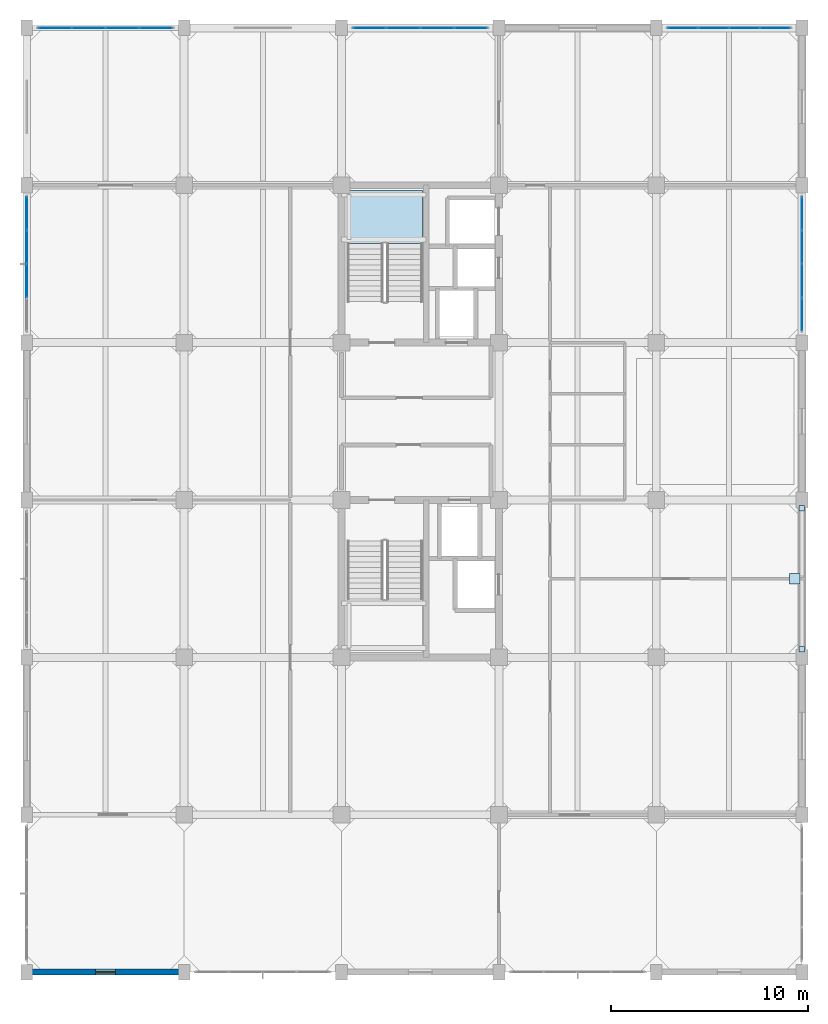
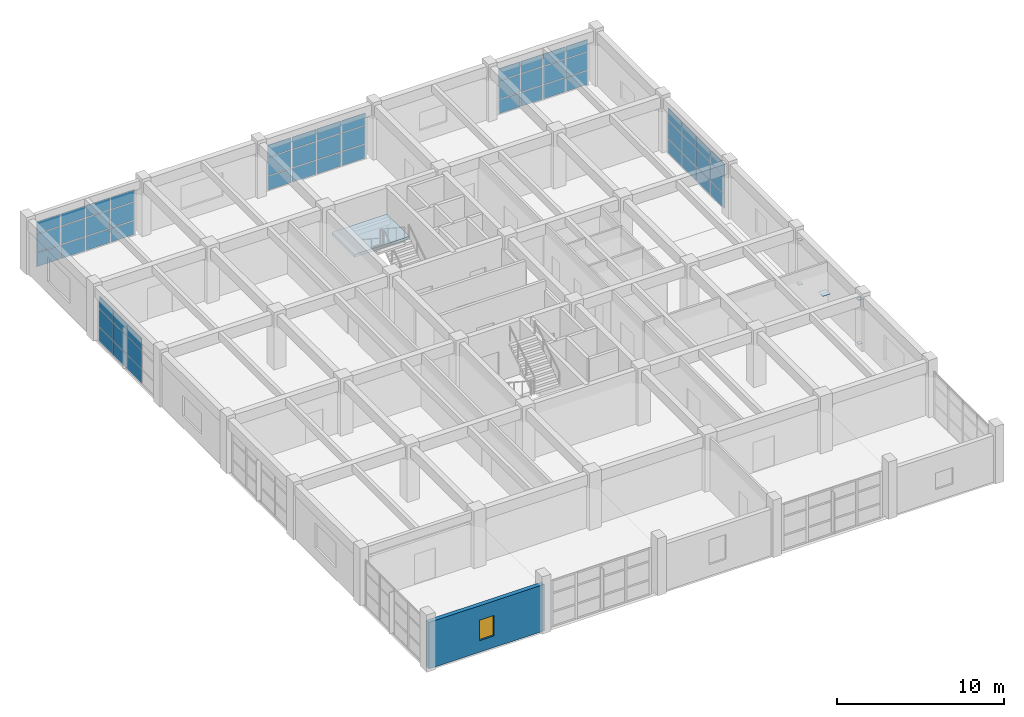
# One storey, part 20 of 27: 62 plates, 1 slab, 1 wall, 1 window, 1 opening, 6 elements without a shape of their own.
"""IFC4 building model written with IfcOpenShell, lengths in metres."""

from ifc_helpers import new_model, si_unit, direction, frame, frame_2d, origin, origin_2d, place, context, subcontext, project, spatial, polyline, rectangle, outline, extrude, material, layer, layer_set, type_object, element, fill, aggregate, save


model = new_model("IFC4")

# Units and contexts
model_context = context("Model", 3, precision=1e-05, world=origin(), true_north=direction((0.0, 1.0)))
body_context = subcontext(model_context, "Body", "Model", "MODEL_VIEW")
ifc_project = project(units=[si_unit("LENGTHUNIT", "METRE"), si_unit("AREAUNIT", "SQUARE_METRE"), si_unit("VOLUMEUNIT", "CUBIC_METRE"), si_unit("PLANEANGLEUNIT", "RADIAN"), si_unit("MASSUNIT", "GRAM", prefix="KILO")], contexts=[model_context])

# Site, building, storey
site_placement = place(None, origin())
site = spatial("IfcSite", under=ifc_project, at=site_placement, CompositionType="ELEMENT")
building_placement = place(site_placement, origin())
building = spatial("IfcBuilding", under=site, at=building_placement, Name="Canggui Botanical Conservatory", CompositionType="ELEMENT")
storey_placement = place(building_placement, frame((0.0, 0.0, 23.39990234375)))
storey = spatial("IfcBuildingStorey", under=building, at=storey_placement, Name="L06", CompositionType="ELEMENT", Elevation=23.39990234375)

# Curtain wall, plates
ifc_material_1 = material(Name="Thermally Broken Aluminium", Category="aluminium")
ifc_layer_1 = layer(ifc_material_1, 0.14990234375, Name="Thermally Broken Aluminium", Category="aluminium")
ifc_layer_set_1 = layer_set([ifc_layer_1], Name="Thermally Broken Aluminium")
curtain_wall_type = type_object("IfcCurtainWallType", Name="CW-UNIT-C", PredefinedType="USERDEFINED", material=ifc_layer_set_1)
curtain_wall_1_placement = place(storey_placement, origin())
curtain_wall_1 = element("IfcCurtainWall", 1, at=curtain_wall_1_placement, inside=storey, type_object=curtain_wall_type, Name="Facade Curtain Wall CW-TWR-L06-10", ObjectType="UNITISED CURTAIN WALL", PredefinedType="USERDEFINED")
ifc_material_2 = material(Name="Low-E Insulated Glass", Category="glass")
ifc_layer_2 = layer(ifc_material_2, 0.033935546875, Name="Low-E Insulated Glass", Category="glass")
ifc_layer_set_2 = layer_set([ifc_layer_2], Name="Low-E Insulated Glass")
plate_type_1 = type_object("IfcPlateType", Name="CWP-03", PredefinedType="CURTAIN_PANEL", material=ifc_layer_set_2)
plate_1_placement = place(storey_placement, frame((138.0, 61.139892578125, 0.05517578125), z_axis=(0.0, 0.0, 1.0), x_axis=(0.0, 1.0, 0.0)))
plate_1 = element("IfcPlate", 2, at=plate_1_placement, type_object=plate_type_1, Name="CW-03 panel 2.1", PredefinedType="CURTAIN_PANEL", context=body_context, shape_type="SweptSolid", body=[
    extrude(rectangle(XDim=1.659912109375, YDim=0.033935546875, at=origin_2d()), origin(), (0.0, 0.0, 1.0), 1.005615234375),
])
plate_2_placement = place(storey_placement, frame((138.0, 61.139892578125, 1.11572265625), z_axis=(0.0, 0.0, 1.0), x_axis=(0.0, 1.0, 0.0)))
plate_2 = element("IfcPlate", 3, at=plate_2_placement, type_object=plate_type_1, Name="CW-03 panel 2.2", PredefinedType="CURTAIN_PANEL", context=body_context, shape_type="SweptSolid", body=[
    extrude(rectangle(XDim=1.659912109375, YDim=0.033935546875, at=origin_2d()), origin(), (0.0, 0.0, 1.0), 1.304931640625),
])
plate_3_placement = place(storey_placement, frame((138.0, 61.139892578125, 2.4755859375), z_axis=(0.0, 0.0, 1.0), x_axis=(0.0, 1.0, 0.0)))
plate_3 = element("IfcPlate", 4, at=plate_3_placement, type_object=plate_type_1, Name="CW-03 panel 2.3", PredefinedType="CURTAIN_PANEL", context=body_context, shape_type="SweptSolid", body=[
    extrude(rectangle(XDim=1.659912109375, YDim=0.033935546875, at=origin_2d()), origin(), (0.0, 0.0, 1.0), 0.869384765625),
])
plate_4_placement = place(storey_placement, frame((138.0, 62.860107421875, 0.05517578125), z_axis=(0.0, 0.0, 1.0), x_axis=(0.0, 1.0, 0.0)))
plate_4 = element("IfcPlate", 5, at=plate_4_placement, type_object=plate_type_1, Name="CW-03 panel 3.1", PredefinedType="CURTAIN_PANEL", context=body_context, shape_type="SweptSolid", body=[
    extrude(rectangle(XDim=1.659912109375, YDim=0.033935546875, at=origin_2d()), origin(), (0.0, 0.0, 1.0), 1.005615234375),
])
plate_5_placement = place(storey_placement, frame((138.0, 62.860107421875, 1.11572265625), z_axis=(0.0, 0.0, 1.0), x_axis=(0.0, 1.0, 0.0)))
plate_5 = element("IfcPlate", 6, at=plate_5_placement, type_object=plate_type_1, Name="CW-03 panel 3.2", PredefinedType="CURTAIN_PANEL", context=body_context, shape_type="SweptSolid", body=[
    extrude(rectangle(XDim=1.659912109375, YDim=0.033935546875, at=origin_2d()), origin(), (0.0, 0.0, 1.0), 1.304931640625),
])
plate_6_placement = place(storey_placement, frame((138.0, 62.860107421875, 2.4755859375), z_axis=(0.0, 0.0, 1.0), x_axis=(0.0, 1.0, 0.0)))
plate_6 = element("IfcPlate", 7, at=plate_6_placement, type_object=plate_type_1, Name="CW-03 panel 3.3", PredefinedType="CURTAIN_PANEL", context=body_context, shape_type="SweptSolid", body=[
    extrude(rectangle(XDim=1.659912109375, YDim=0.033935546875, at=origin_2d()), origin(), (0.0, 0.0, 1.0), 0.869384765625),
])
plate_7_placement = place(storey_placement, frame((138.0, 64.56494140625, 0.05517578125), z_axis=(0.0, 0.0, 1.0), x_axis=(0.0, 1.0, 0.0)))
plate_7 = element("IfcPlate", 8, at=plate_7_placement, type_object=plate_type_1, Name="CW-03 panel 4.1", PredefinedType="CURTAIN_PANEL", context=body_context, shape_type="SweptSolid", body=[
    extrude(rectangle(XDim=1.6298828125, YDim=0.033935546875, at=origin_2d()), origin(), (0.0, 0.0, 1.0), 1.005615234375),
])
plate_8_placement = place(storey_placement, frame((138.0, 64.56494140625, 1.11572265625), z_axis=(0.0, 0.0, 1.0), x_axis=(0.0, 1.0, 0.0)))
plate_8 = element("IfcPlate", 9, at=plate_8_placement, type_object=plate_type_1, Name="CW-03 panel 4.2", PredefinedType="CURTAIN_PANEL", context=body_context, shape_type="SweptSolid", body=[
    extrude(rectangle(XDim=1.6298828125, YDim=0.033935546875, at=origin_2d()), origin(), (0.0, 0.0, 1.0), 1.304931640625),
])
plate_9_placement = place(storey_placement, frame((138.0, 64.56494140625, 2.4755859375), z_axis=(0.0, 0.0, 1.0), x_axis=(0.0, 1.0, 0.0)))
plate_9 = element("IfcPlate", 10, at=plate_9_placement, type_object=plate_type_1, Name="CW-03 panel 4.3", PredefinedType="CURTAIN_PANEL", context=body_context, shape_type="SweptSolid", body=[
    extrude(rectangle(XDim=1.6298828125, YDim=0.033935546875, at=origin_2d()), origin(), (0.0, 0.0, 1.0), 0.869384765625),
])
aggregate(curtain_wall_1, [plate_1, plate_2, plate_3, plate_4, plate_5, plate_6, plate_7, plate_8, plate_9])

curtain_wall_2_placement = place(storey_placement, origin())
curtain_wall_2 = element("IfcCurtainWall", 11, at=curtain_wall_2_placement, inside=storey, type_object=curtain_wall_type, Name="Facade Curtain Wall CW-TWR-L06-12", ObjectType="UNITISED CURTAIN WALL", PredefinedType="USERDEFINED")
plate_10_placement = place(storey_placement, frame((139.43505859375, 74.0, 0.05517578125), z_axis=(0.0, 0.0, 1.0), x_axis=(1.0, 0.0, 0.0)))
plate_10 = element("IfcPlate", 12, at=plate_10_placement, type_object=plate_type_1, Name="CW-03 panel 1.1", PredefinedType="CURTAIN_PANEL", context=body_context, shape_type="SweptSolid", body=[
    extrude(rectangle(XDim=1.6298828125, YDim=0.033935546875, at=origin_2d()), origin(), (0.0, 0.0, 1.0), 1.005615234375),
])
plate_11_placement = place(storey_placement, frame((139.43505859375, 74.0, 1.11572265625), z_axis=(0.0, 0.0, 1.0), x_axis=(1.0, 0.0, 0.0)))
plate_11 = element("IfcPlate", 13, at=plate_11_placement, type_object=plate_type_1, Name="CW-03 panel 1.2", PredefinedType="CURTAIN_PANEL", context=body_context, shape_type="SweptSolid", body=[
    extrude(rectangle(XDim=1.6298828125, YDim=0.033935546875, at=origin_2d()), origin(), (0.0, 0.0, 1.0), 1.304931640625),
])
plate_12_placement = place(storey_placement, frame((139.43505859375, 74.0, 2.4755859375), z_axis=(0.0, 0.0, 1.0), x_axis=(1.0, 0.0, 0.0)))
plate_12 = element("IfcPlate", 14, at=plate_12_placement, type_object=plate_type_1, Name="CW-03 panel 1.3", PredefinedType="CURTAIN_PANEL", context=body_context, shape_type="SweptSolid", body=[
    extrude(rectangle(XDim=1.6298828125, YDim=0.033935546875, at=origin_2d()), origin(), (0.0, 0.0, 1.0), 0.869384765625),
])
plate_13_placement = place(storey_placement, frame((141.139892578125, 74.0, 0.05517578125), z_axis=(0.0, 0.0, 1.0), x_axis=(1.0, 0.0, 0.0)))
plate_13 = element("IfcPlate", 15, at=plate_13_placement, type_object=plate_type_1, Name="CW-03 panel 2.1", PredefinedType="CURTAIN_PANEL", context=body_context, shape_type="SweptSolid", body=[
    extrude(rectangle(XDim=1.659912109375, YDim=0.033935546875, at=origin_2d()), origin(), (0.0, 0.0, 1.0), 1.005615234375),
])
plate_14_placement = place(storey_placement, frame((141.139892578125, 74.0, 1.11572265625), z_axis=(0.0, 0.0, 1.0), x_axis=(1.0, 0.0, 0.0)))
plate_14 = element("IfcPlate", 16, at=plate_14_placement, type_object=plate_type_1, Name="CW-03 panel 2.2", PredefinedType="CURTAIN_PANEL", context=body_context, shape_type="SweptSolid", body=[
    extrude(rectangle(XDim=1.659912109375, YDim=0.033935546875, at=origin_2d()), origin(), (0.0, 0.0, 1.0), 1.304931640625),
])
plate_15_placement = place(storey_placement, frame((141.139892578125, 74.0, 2.4755859375), z_axis=(0.0, 0.0, 1.0), x_axis=(1.0, 0.0, 0.0)))
plate_15 = element("IfcPlate", 17, at=plate_15_placement, type_object=plate_type_1, Name="CW-03 panel 2.3", PredefinedType="CURTAIN_PANEL", context=body_context, shape_type="SweptSolid", body=[
    extrude(rectangle(XDim=1.659912109375, YDim=0.033935546875, at=origin_2d()), origin(), (0.0, 0.0, 1.0), 0.869384765625),
])
plate_16_placement = place(storey_placement, frame((142.860107421875, 74.0, 0.05517578125), z_axis=(0.0, 0.0, 1.0), x_axis=(1.0, 0.0, 0.0)))
plate_16 = element("IfcPlate", 18, at=plate_16_placement, type_object=plate_type_1, Name="CW-03 panel 3.1", PredefinedType="CURTAIN_PANEL", context=body_context, shape_type="SweptSolid", body=[
    extrude(rectangle(XDim=1.659912109375, YDim=0.033935546875, at=origin_2d()), origin(), (0.0, 0.0, 1.0), 1.005615234375),
])
plate_17_placement = place(storey_placement, frame((142.860107421875, 74.0, 1.11572265625), z_axis=(0.0, 0.0, 1.0), x_axis=(1.0, 0.0, 0.0)))
plate_17 = element("IfcPlate", 19, at=plate_17_placement, type_object=plate_type_1, Name="CW-03 panel 3.2", PredefinedType="CURTAIN_PANEL", context=body_context, shape_type="SweptSolid", body=[
    extrude(rectangle(XDim=1.659912109375, YDim=0.033935546875, at=origin_2d()), origin(), (0.0, 0.0, 1.0), 1.304931640625),
])
plate_18_placement = place(storey_placement, frame((142.860107421875, 74.0, 2.4755859375), z_axis=(0.0, 0.0, 1.0), x_axis=(1.0, 0.0, 0.0)))
plate_18 = element("IfcPlate", 20, at=plate_18_placement, type_object=plate_type_1, Name="CW-03 panel 3.3", PredefinedType="CURTAIN_PANEL", context=body_context, shape_type="SweptSolid", body=[
    extrude(rectangle(XDim=1.659912109375, YDim=0.033935546875, at=origin_2d()), origin(), (0.0, 0.0, 1.0), 0.869384765625),
])
plate_19_placement = place(storey_placement, frame((144.56494140625, 74.0, 0.05517578125), z_axis=(0.0, 0.0, 1.0), x_axis=(1.0, 0.0, 0.0)))
plate_19 = element("IfcPlate", 21, at=plate_19_placement, type_object=plate_type_1, Name="CW-03 panel 4.1", PredefinedType="CURTAIN_PANEL", context=body_context, shape_type="SweptSolid", body=[
    extrude(rectangle(XDim=1.6298828125, YDim=0.033935546875, at=origin_2d()), origin(), (0.0, 0.0, 1.0), 1.005615234375),
])
plate_20_placement = place(storey_placement, frame((144.56494140625, 74.0, 1.11572265625), z_axis=(0.0, 0.0, 1.0), x_axis=(1.0, 0.0, 0.0)))
plate_20 = element("IfcPlate", 22, at=plate_20_placement, type_object=plate_type_1, Name="CW-03 panel 4.2", PredefinedType="CURTAIN_PANEL", context=body_context, shape_type="SweptSolid", body=[
    extrude(rectangle(XDim=1.6298828125, YDim=0.033935546875, at=origin_2d()), origin(), (0.0, 0.0, 1.0), 1.304931640625),
])
plate_21_placement = place(storey_placement, frame((144.56494140625, 74.0, 2.4755859375), z_axis=(0.0, 0.0, 1.0), x_axis=(1.0, 0.0, 0.0)))
plate_21 = element("IfcPlate", 23, at=plate_21_placement, type_object=plate_type_1, Name="CW-03 panel 4.3", PredefinedType="CURTAIN_PANEL", context=body_context, shape_type="SweptSolid", body=[
    extrude(rectangle(XDim=1.6298828125, YDim=0.033935546875, at=origin_2d()), origin(), (0.0, 0.0, 1.0), 0.869384765625),
])
aggregate(curtain_wall_2, [plate_10, plate_11, plate_12, plate_13, plate_14, plate_15, plate_16, plate_17, plate_18, plate_19, plate_20, plate_21])

curtain_wall_3_placement = place(storey_placement, origin())
curtain_wall_3 = element("IfcCurtainWall", 24, at=curtain_wall_3_placement, inside=storey, type_object=curtain_wall_type, Name="Facade Curtain Wall CW-TWR-L06-14", ObjectType="UNITISED CURTAIN WALL", PredefinedType="USERDEFINED")
plate_22_placement = place(storey_placement, frame((155.43505859375, 74.0, 0.05517578125), z_axis=(0.0, 0.0, 1.0), x_axis=(1.0, 0.0, 0.0)))
plate_22 = element("IfcPlate", 25, at=plate_22_placement, type_object=plate_type_1, Name="CW-03 panel 1.1", PredefinedType="CURTAIN_PANEL", context=body_context, shape_type="SweptSolid", body=[
    extrude(rectangle(XDim=1.6298828125, YDim=0.033935546875, at=origin_2d()), origin(), (0.0, 0.0, 1.0), 1.005615234375),
])
plate_23_placement = place(storey_placement, frame((155.43505859375, 74.0, 1.11572265625), z_axis=(0.0, 0.0, 1.0), x_axis=(1.0, 0.0, 0.0)))
plate_23 = element("IfcPlate", 26, at=plate_23_placement, type_object=plate_type_1, Name="CW-03 panel 1.2", PredefinedType="CURTAIN_PANEL", context=body_context, shape_type="SweptSolid", body=[
    extrude(rectangle(XDim=1.6298828125, YDim=0.033935546875, at=origin_2d()), origin(), (0.0, 0.0, 1.0), 1.304931640625),
])
plate_24_placement = place(storey_placement, frame((155.43505859375, 74.0, 2.4755859375), z_axis=(0.0, 0.0, 1.0), x_axis=(1.0, 0.0, 0.0)))
plate_24 = element("IfcPlate", 27, at=plate_24_placement, type_object=plate_type_1, Name="CW-03 panel 1.3", PredefinedType="CURTAIN_PANEL", context=body_context, shape_type="SweptSolid", body=[
    extrude(rectangle(XDim=1.6298828125, YDim=0.033935546875, at=origin_2d()), origin(), (0.0, 0.0, 1.0), 0.869384765625),
])
plate_25_placement = place(storey_placement, frame((157.139892578125, 74.0, 0.05517578125), z_axis=(0.0, 0.0, 1.0), x_axis=(1.0, 0.0, 0.0)))
plate_25 = element("IfcPlate", 28, at=plate_25_placement, type_object=plate_type_1, Name="CW-03 panel 2.1", PredefinedType="CURTAIN_PANEL", context=body_context, shape_type="SweptSolid", body=[
    extrude(rectangle(XDim=1.659912109375, YDim=0.033935546875, at=origin_2d()), origin(), (0.0, 0.0, 1.0), 1.005615234375),
])
plate_26_placement = place(storey_placement, frame((157.139892578125, 74.0, 1.11572265625), z_axis=(0.0, 0.0, 1.0), x_axis=(1.0, 0.0, 0.0)))
plate_26 = element("IfcPlate", 29, at=plate_26_placement, type_object=plate_type_1, Name="CW-03 panel 2.2", PredefinedType="CURTAIN_PANEL", context=body_context, shape_type="SweptSolid", body=[
    extrude(rectangle(XDim=1.659912109375, YDim=0.033935546875, at=origin_2d()), origin(), (0.0, 0.0, 1.0), 1.304931640625),
])
plate_27_placement = place(storey_placement, frame((157.139892578125, 74.0, 2.4755859375), z_axis=(0.0, 0.0, 1.0), x_axis=(1.0, 0.0, 0.0)))
plate_27 = element("IfcPlate", 30, at=plate_27_placement, type_object=plate_type_1, Name="CW-03 panel 2.3", PredefinedType="CURTAIN_PANEL", context=body_context, shape_type="SweptSolid", body=[
    extrude(rectangle(XDim=1.659912109375, YDim=0.033935546875, at=origin_2d()), origin(), (0.0, 0.0, 1.0), 0.869384765625),
])
plate_28_placement = place(storey_placement, frame((158.860107421875, 74.0, 0.05517578125), z_axis=(0.0, 0.0, 1.0), x_axis=(1.0, 0.0, 0.0)))
plate_28 = element("IfcPlate", 31, at=plate_28_placement, type_object=plate_type_1, Name="CW-03 panel 3.1", PredefinedType="CURTAIN_PANEL", context=body_context, shape_type="SweptSolid", body=[
    extrude(rectangle(XDim=1.659912109375, YDim=0.033935546875, at=origin_2d()), origin(), (0.0, 0.0, 1.0), 1.005615234375),
])
plate_29_placement = place(storey_placement, frame((158.860107421875, 74.0, 1.11572265625), z_axis=(0.0, 0.0, 1.0), x_axis=(1.0, 0.0, 0.0)))
plate_29 = element("IfcPlate", 32, at=plate_29_placement, type_object=plate_type_1, Name="CW-03 panel 3.2", PredefinedType="CURTAIN_PANEL", context=body_context, shape_type="SweptSolid", body=[
    extrude(rectangle(XDim=1.659912109375, YDim=0.033935546875, at=origin_2d()), origin(), (0.0, 0.0, 1.0), 1.304931640625),
])
plate_30_placement = place(storey_placement, frame((158.860107421875, 74.0, 2.4755859375), z_axis=(0.0, 0.0, 1.0), x_axis=(1.0, 0.0, 0.0)))
plate_30 = element("IfcPlate", 33, at=plate_30_placement, type_object=plate_type_1, Name="CW-03 panel 3.3", PredefinedType="CURTAIN_PANEL", context=body_context, shape_type="SweptSolid", body=[
    extrude(rectangle(XDim=1.659912109375, YDim=0.033935546875, at=origin_2d()), origin(), (0.0, 0.0, 1.0), 0.869384765625),
])
plate_31_placement = place(storey_placement, frame((160.56494140625, 74.0, 0.05517578125), z_axis=(0.0, 0.0, 1.0), x_axis=(1.0, 0.0, 0.0)))
plate_31 = element("IfcPlate", 34, at=plate_31_placement, type_object=plate_type_1, Name="CW-03 panel 4.1", PredefinedType="CURTAIN_PANEL", context=body_context, shape_type="SweptSolid", body=[
    extrude(rectangle(XDim=1.6298828125, YDim=0.033935546875, at=origin_2d()), origin(), (0.0, 0.0, 1.0), 1.005615234375),
])
plate_32_placement = place(storey_placement, frame((160.56494140625, 74.0, 1.11572265625), z_axis=(0.0, 0.0, 1.0), x_axis=(1.0, 0.0, 0.0)))
plate_32 = element("IfcPlate", 35, at=plate_32_placement, type_object=plate_type_1, Name="CW-03 panel 4.2", PredefinedType="CURTAIN_PANEL", context=body_context, shape_type="SweptSolid", body=[
    extrude(rectangle(XDim=1.6298828125, YDim=0.033935546875, at=origin_2d()), origin(), (0.0, 0.0, 1.0), 1.304931640625),
])
plate_33_placement = place(storey_placement, frame((160.56494140625, 74.0, 2.4755859375), z_axis=(0.0, 0.0, 1.0), x_axis=(1.0, 0.0, 0.0)))
plate_33 = element("IfcPlate", 36, at=plate_33_placement, type_object=plate_type_1, Name="CW-03 panel 4.3", PredefinedType="CURTAIN_PANEL", context=body_context, shape_type="SweptSolid", body=[
    extrude(rectangle(XDim=1.6298828125, YDim=0.033935546875, at=origin_2d()), origin(), (0.0, 0.0, 1.0), 0.869384765625),
])
aggregate(curtain_wall_3, [plate_22, plate_23, plate_24, plate_25, plate_26, plate_27, plate_28, plate_29, plate_30, plate_31, plate_32, plate_33])

curtain_wall_4_placement = place(storey_placement, origin())
curtain_wall_4 = element("IfcCurtainWall", 37, at=curtain_wall_4_placement, inside=storey, type_object=curtain_wall_type, Name="Facade Curtain Wall CW-TWR-L06-16", ObjectType="UNITISED CURTAIN WALL", PredefinedType="USERDEFINED")
plate_34_placement = place(storey_placement, frame((171.360107421875, 74.0, 0.05517578125), z_axis=(0.0, 0.0, 1.0), x_axis=(1.0, 0.0, 0.0)))
plate_34 = element("IfcPlate", 38, at=plate_34_placement, type_object=plate_type_1, Name="CW-03 panel 1.1", PredefinedType="CURTAIN_PANEL", context=body_context, shape_type="SweptSolid", body=[
    extrude(rectangle(XDim=1.47998046875, YDim=0.033935546875, at=origin_2d()), origin(), (0.0, 0.0, 1.0), 1.005615234375),
])
plate_35_placement = place(storey_placement, frame((171.360107421875, 74.0, 1.11572265625), z_axis=(0.0, 0.0, 1.0), x_axis=(1.0, 0.0, 0.0)))
plate_35 = element("IfcPlate", 39, at=plate_35_placement, type_object=plate_type_1, Name="CW-03 panel 1.2", PredefinedType="CURTAIN_PANEL", context=body_context, shape_type="SweptSolid", body=[
    extrude(rectangle(XDim=1.47998046875, YDim=0.033935546875, at=origin_2d()), origin(), (0.0, 0.0, 1.0), 1.304931640625),
])
plate_36_placement = place(storey_placement, frame((171.360107421875, 74.0, 2.4755859375), z_axis=(0.0, 0.0, 1.0), x_axis=(1.0, 0.0, 0.0)))
plate_36 = element("IfcPlate", 40, at=plate_36_placement, type_object=plate_type_1, Name="CW-03 panel 1.3", PredefinedType="CURTAIN_PANEL", context=body_context, shape_type="SweptSolid", body=[
    extrude(rectangle(XDim=1.47998046875, YDim=0.033935546875, at=origin_2d()), origin(), (0.0, 0.0, 1.0), 0.869384765625),
])
plate_37_placement = place(storey_placement, frame((172.9150390625, 74.0, 0.05517578125), z_axis=(0.0, 0.0, 1.0), x_axis=(1.0, 0.0, 0.0)))
plate_37 = element("IfcPlate", 41, at=plate_37_placement, type_object=plate_type_1, Name="CW-03 panel 2.1", PredefinedType="CURTAIN_PANEL", context=body_context, shape_type="SweptSolid", body=[
    extrude(rectangle(XDim=1.510009765625, YDim=0.033935546875, at=origin_2d()), origin(), (0.0, 0.0, 1.0), 1.005615234375),
])
plate_38_placement = place(storey_placement, frame((172.9150390625, 74.0, 1.11572265625), z_axis=(0.0, 0.0, 1.0), x_axis=(1.0, 0.0, 0.0)))
plate_38 = element("IfcPlate", 42, at=plate_38_placement, type_object=plate_type_1, Name="CW-03 panel 2.2", PredefinedType="CURTAIN_PANEL", context=body_context, shape_type="SweptSolid", body=[
    extrude(rectangle(XDim=1.510009765625, YDim=0.033935546875, at=origin_2d()), origin(), (0.0, 0.0, 1.0), 1.304931640625),
])
plate_39_placement = place(storey_placement, frame((172.9150390625, 74.0, 2.4755859375), z_axis=(0.0, 0.0, 1.0), x_axis=(1.0, 0.0, 0.0)))
plate_39 = element("IfcPlate", 43, at=plate_39_placement, type_object=plate_type_1, Name="CW-03 panel 2.3", PredefinedType="CURTAIN_PANEL", context=body_context, shape_type="SweptSolid", body=[
    extrude(rectangle(XDim=1.510009765625, YDim=0.033935546875, at=origin_2d()), origin(), (0.0, 0.0, 1.0), 0.869384765625),
])
plate_40_placement = place(storey_placement, frame((174.485107421875, 74.0, 0.05517578125), z_axis=(0.0, 0.0, 1.0), x_axis=(1.0, 0.0, 0.0)))
plate_40 = element("IfcPlate", 44, at=plate_40_placement, type_object=plate_type_1, Name="CW-03 panel 3.1", PredefinedType="CURTAIN_PANEL", context=body_context, shape_type="SweptSolid", body=[
    extrude(rectangle(XDim=1.510009765625, YDim=0.033935546875, at=origin_2d()), origin(), (0.0, 0.0, 1.0), 1.005615234375),
])
plate_41_placement = place(storey_placement, frame((174.485107421875, 74.0, 1.11572265625), z_axis=(0.0, 0.0, 1.0), x_axis=(1.0, 0.0, 0.0)))
plate_41 = element("IfcPlate", 45, at=plate_41_placement, type_object=plate_type_1, Name="CW-03 panel 3.2", PredefinedType="CURTAIN_PANEL", context=body_context, shape_type="SweptSolid", body=[
    extrude(rectangle(XDim=1.510009765625, YDim=0.033935546875, at=origin_2d()), origin(), (0.0, 0.0, 1.0), 1.304931640625),
])
plate_42_placement = place(storey_placement, frame((174.485107421875, 74.0, 2.4755859375), z_axis=(0.0, 0.0, 1.0), x_axis=(1.0, 0.0, 0.0)))
plate_42 = element("IfcPlate", 46, at=plate_42_placement, type_object=plate_type_1, Name="CW-03 panel 3.3", PredefinedType="CURTAIN_PANEL", context=body_context, shape_type="SweptSolid", body=[
    extrude(rectangle(XDim=1.510009765625, YDim=0.033935546875, at=origin_2d()), origin(), (0.0, 0.0, 1.0), 0.869384765625),
])
plate_43_placement = place(storey_placement, frame((176.0400390625, 74.0, 0.05517578125), z_axis=(0.0, 0.0, 1.0), x_axis=(1.0, 0.0, 0.0)))
plate_43 = element("IfcPlate", 47, at=plate_43_placement, type_object=plate_type_1, Name="CW-03 panel 4.1", PredefinedType="CURTAIN_PANEL", context=body_context, shape_type="SweptSolid", body=[
    extrude(rectangle(XDim=1.47998046875, YDim=0.033935546875, at=origin_2d()), origin(), (0.0, 0.0, 1.0), 1.005615234375),
])
plate_44_placement = place(storey_placement, frame((176.0400390625, 74.0, 1.11572265625), z_axis=(0.0, 0.0, 1.0), x_axis=(1.0, 0.0, 0.0)))
plate_44 = element("IfcPlate", 48, at=plate_44_placement, type_object=plate_type_1, Name="CW-03 panel 4.2", PredefinedType="CURTAIN_PANEL", context=body_context, shape_type="SweptSolid", body=[
    extrude(rectangle(XDim=1.47998046875, YDim=0.033935546875, at=origin_2d()), origin(), (0.0, 0.0, 1.0), 1.304931640625),
])
plate_45_placement = place(storey_placement, frame((176.0400390625, 74.0, 2.4755859375), z_axis=(0.0, 0.0, 1.0), x_axis=(1.0, 0.0, 0.0)))
plate_45 = element("IfcPlate", 49, at=plate_45_placement, type_object=plate_type_1, Name="CW-03 panel 4.3", PredefinedType="CURTAIN_PANEL", context=body_context, shape_type="SweptSolid", body=[
    extrude(rectangle(XDim=1.47998046875, YDim=0.033935546875, at=origin_2d()), origin(), (0.0, 0.0, 1.0), 0.869384765625),
])
aggregate(curtain_wall_4, [plate_34, plate_35, plate_36, plate_37, plate_38, plate_39, plate_40, plate_41, plate_42, plate_43, plate_44, plate_45])

curtain_wall_5_placement = place(storey_placement, origin())
curtain_wall_5 = element("IfcCurtainWall", 50, at=curtain_wall_5_placement, inside=storey, type_object=curtain_wall_type, Name="Facade Curtain Wall CW-TWR-L06-18", ObjectType="UNITISED CURTAIN WALL", PredefinedType="USERDEFINED")
plate_46_placement = place(storey_placement, frame((177.39990234375, 64.56494140625, 0.05517578125), z_axis=(0.0, 0.0, 1.0), x_axis=(0.0, -1.0, 0.0)))
plate_46 = element("IfcPlate", 51, at=plate_46_placement, type_object=plate_type_1, Name="CW-03 panel 1.1", PredefinedType="CURTAIN_PANEL", context=body_context, shape_type="SweptSolid", body=[
    extrude(rectangle(XDim=1.6298828125, YDim=0.033935546875, at=origin_2d()), origin(), (0.0, 0.0, 1.0), 1.005615234375),
])
plate_47_placement = place(storey_placement, frame((177.39990234375, 64.56494140625, 1.11572265625), z_axis=(0.0, 0.0, 1.0), x_axis=(0.0, -1.0, 0.0)))
plate_47 = element("IfcPlate", 52, at=plate_47_placement, type_object=plate_type_1, Name="CW-03 panel 1.2", PredefinedType="CURTAIN_PANEL", context=body_context, shape_type="SweptSolid", body=[
    extrude(rectangle(XDim=1.6298828125, YDim=0.033935546875, at=origin_2d()), origin(), (0.0, 0.0, 1.0), 1.304931640625),
])
plate_48_placement = place(storey_placement, frame((177.39990234375, 64.56494140625, 2.4755859375), z_axis=(0.0, 0.0, 1.0), x_axis=(0.0, -1.0, 0.0)))
plate_48 = element("IfcPlate", 53, at=plate_48_placement, type_object=plate_type_1, Name="CW-03 panel 1.3", PredefinedType="CURTAIN_PANEL", context=body_context, shape_type="SweptSolid", body=[
    extrude(rectangle(XDim=1.6298828125, YDim=0.033935546875, at=origin_2d()), origin(), (0.0, 0.0, 1.0), 0.869384765625),
])
plate_49_placement = place(storey_placement, frame((177.39990234375, 62.860107421875, 0.05517578125), z_axis=(0.0, 0.0, 1.0), x_axis=(0.0, -1.0, 0.0)))
plate_49 = element("IfcPlate", 54, at=plate_49_placement, type_object=plate_type_1, Name="CW-03 panel 2.1", PredefinedType="CURTAIN_PANEL", context=body_context, shape_type="SweptSolid", body=[
    extrude(rectangle(XDim=1.659912109375, YDim=0.033935546875, at=origin_2d()), origin(), (0.0, 0.0, 1.0), 1.005615234375),
])
plate_50_placement = place(storey_placement, frame((177.39990234375, 62.860107421875, 1.11572265625), z_axis=(0.0, 0.0, 1.0), x_axis=(0.0, -1.0, 0.0)))
plate_50 = element("IfcPlate", 55, at=plate_50_placement, type_object=plate_type_1, Name="CW-03 panel 2.2", PredefinedType="CURTAIN_PANEL", context=body_context, shape_type="SweptSolid", body=[
    extrude(rectangle(XDim=1.659912109375, YDim=0.033935546875, at=origin_2d()), origin(), (0.0, 0.0, 1.0), 1.304931640625),
])
plate_51_placement = place(storey_placement, frame((177.39990234375, 62.860107421875, 2.4755859375), z_axis=(0.0, 0.0, 1.0), x_axis=(0.0, -1.0, 0.0)))
plate_51 = element("IfcPlate", 56, at=plate_51_placement, type_object=plate_type_1, Name="CW-03 panel 2.3", PredefinedType="CURTAIN_PANEL", context=body_context, shape_type="SweptSolid", body=[
    extrude(rectangle(XDim=1.659912109375, YDim=0.033935546875, at=origin_2d()), origin(), (0.0, 0.0, 1.0), 0.869384765625),
])
plate_52_placement = place(storey_placement, frame((177.39990234375, 61.139892578125, 0.05517578125), z_axis=(0.0, 0.0, 1.0), x_axis=(0.0, -1.0, 0.0)))
plate_52 = element("IfcPlate", 57, at=plate_52_placement, type_object=plate_type_1, Name="CW-03 panel 3.1", PredefinedType="CURTAIN_PANEL", context=body_context, shape_type="SweptSolid", body=[
    extrude(rectangle(XDim=1.659912109375, YDim=0.033935546875, at=origin_2d()), origin(), (0.0, 0.0, 1.0), 1.005615234375),
])
plate_53_placement = place(storey_placement, frame((177.39990234375, 61.139892578125, 1.11572265625), z_axis=(0.0, 0.0, 1.0), x_axis=(0.0, -1.0, 0.0)))
plate_53 = element("IfcPlate", 58, at=plate_53_placement, type_object=plate_type_1, Name="CW-03 panel 3.2", PredefinedType="CURTAIN_PANEL", context=body_context, shape_type="SweptSolid", body=[
    extrude(rectangle(XDim=1.659912109375, YDim=0.033935546875, at=origin_2d()), origin(), (0.0, 0.0, 1.0), 1.304931640625),
])
plate_54_placement = place(storey_placement, frame((177.39990234375, 61.139892578125, 2.4755859375), z_axis=(0.0, 0.0, 1.0), x_axis=(0.0, -1.0, 0.0)))
plate_54 = element("IfcPlate", 59, at=plate_54_placement, type_object=plate_type_1, Name="CW-03 panel 3.3", PredefinedType="CURTAIN_PANEL", context=body_context, shape_type="SweptSolid", body=[
    extrude(rectangle(XDim=1.659912109375, YDim=0.033935546875, at=origin_2d()), origin(), (0.0, 0.0, 1.0), 0.869384765625),
])
plate_55_placement = place(storey_placement, frame((177.39990234375, 59.43505859375, 0.05517578125), z_axis=(0.0, 0.0, 1.0), x_axis=(0.0, -1.0, 0.0)))
plate_55 = element("IfcPlate", 60, at=plate_55_placement, type_object=plate_type_1, Name="CW-03 panel 4.1", PredefinedType="CURTAIN_PANEL", context=body_context, shape_type="SweptSolid", body=[
    extrude(rectangle(XDim=1.6298828125, YDim=0.033935546875, at=origin_2d()), origin(), (0.0, 0.0, 1.0), 1.005615234375),
])
plate_56_placement = place(storey_placement, frame((177.39990234375, 59.43505859375, 1.11572265625), z_axis=(0.0, 0.0, 1.0), x_axis=(0.0, -1.0, 0.0)))
plate_56 = element("IfcPlate", 61, at=plate_56_placement, type_object=plate_type_1, Name="CW-03 panel 4.2", PredefinedType="CURTAIN_PANEL", context=body_context, shape_type="SweptSolid", body=[
    extrude(rectangle(XDim=1.6298828125, YDim=0.033935546875, at=origin_2d()), origin(), (0.0, 0.0, 1.0), 1.304931640625),
])
plate_57_placement = place(storey_placement, frame((177.39990234375, 59.43505859375, 2.4755859375), z_axis=(0.0, 0.0, 1.0), x_axis=(0.0, -1.0, 0.0)))
plate_57 = element("IfcPlate", 62, at=plate_57_placement, type_object=plate_type_1, Name="CW-03 panel 4.3", PredefinedType="CURTAIN_PANEL", context=body_context, shape_type="SweptSolid", body=[
    extrude(rectangle(XDim=1.6298828125, YDim=0.033935546875, at=origin_2d()), origin(), (0.0, 0.0, 1.0), 0.869384765625),
])
aggregate(curtain_wall_5, [plate_46, plate_47, plate_48, plate_49, plate_50, plate_51, plate_52, plate_53, plate_54, plate_55, plate_56, plate_57])

# Plates
ifc_material_3 = material(Name="Steel Q355B", Category="steel")
ifc_layer_3 = layer(ifc_material_3, 0.02001953125, Name="Steel Q355B", Category="steel")
ifc_layer_set_3 = layer_set([ifc_layer_3], Name="Steel Q355B")
plate_type_2 = type_object("IfcPlateType", Name="PLT-CAP-20", PredefinedType="USERDEFINED", material=ifc_layer_set_3)
for number, where, z_axis, x_axis, name in (
    (63, (177.39990234375, 42.419921875, 0.0400390625), (0.0, 0.0, 1.0), (1.0, 0.0, 0.0), "CP-ZC-L06-1"),
    (64, (177.39990234375, 49.580078125, 0.0400390625), (0.0, 0.0, 1.0), (1.0, 0.0, 0.0), "CP-ZC-L06-2"),
    (65, (177.39990234375, 42.419921875, 3.27001953125), (0.0, 0.0, 1.0), (1.0, 0.0, 0.0), "CP-ZC-L06-3"),
    (66, (177.39990234375, 49.580078125, 3.27001953125), (0.0, 0.0, 1.0), (1.0, 0.0, 0.0), "CP-ZC-L06-4"),
):
    element("IfcPlate", number, at=place(storey_placement, frame(where, z_axis=z_axis, x_axis=x_axis)), inside=storey, type_object=plate_type_2, Name=name, ObjectType="END CAP PLATE", PredefinedType="USERDEFINED", context=body_context, shape_type="SweptSolid", body=[
        extrude(rectangle(XDim=0.280029296875, YDim=0.280029296875, at=origin_2d()), origin(), (0.0, 0.0, 1.0), 0.02001953125),
    ])
ifc_material_4 = material(Name="Steel Q355C", Category="steel")
ifc_layer_4 = layer(ifc_material_4, 0.02392578125, Name="Steel Q355C", Category="steel")
ifc_layer_set_4 = layer_set([ifc_layer_4], Name="Steel Q355C")
plate_type_3 = type_object("IfcPlateType", Name="PLT-GUSSET-24", PredefinedType="USERDEFINED", material=ifc_layer_set_4)
plate_58_placement = place(storey_placement, frame((177.030029296875, 46.0, 1.653076171875), z_axis=(0.0, 0.0, 1.0), x_axis=(1.0, 0.0, 0.0)))
element("IfcPlate", 67, at=plate_58_placement, inside=storey, type_object=plate_type_3, Name="Seismic X-Brace Central Crossing Gusset Plate L06", ObjectType="GUSSET PLATE", PredefinedType="USERDEFINED", context=body_context, shape_type="SweptSolid", body=[
    extrude(rectangle(XDim=0.5400390625, YDim=0.5400390625, at=origin_2d()), origin(), (0.0, 0.0, 1.0), 0.02392578125),
])

# Stair, slab
ifc_material_5 = material(Name="Concrete C35", Category="concrete")
stair_type = type_object("IfcStairType", Name="STR-TYPE-6", PredefinedType="HALF_TURN_STAIR", material=ifc_material_5)
stair_placement = place(storey_placement, origin())
stair = element("IfcStair", 68, at=stair_placement, inside=storey, type_object=stair_type, Name="L06 Tower North Smoke-Proof Stair ST-T2", PredefinedType="HALF_TURN_STAIR")
ifc_layer_5 = layer(ifc_material_5, 0.199951171875, Name="Concrete C35", Category="concrete")
ifc_layer_set_5 = layer_set([ifc_layer_5], Name="Concrete C35")
slab_type = type_object("IfcSlabType", Name="SLAB-LND-200", PredefinedType="LANDING", material=ifc_layer_set_5)
slab_placement = place(storey_placement, frame((0.0, 0.0, 1.900146484375)))
slab = element("IfcSlab", 69, at=slab_placement, type_object=slab_type, Name="ST-T2 landing 1", PredefinedType="LANDING", context=body_context, shape_type="SweptSolid", body=[
    extrude(outline(polyline([(158.1201171875, 63.027587890625), (158.1201171875, 65.739990234375), (154.300048828125, 65.739990234375), (154.300048828125, 63.027587890625), (158.1201171875, 63.027587890625)])), origin(), (0.0, 0.0, 1.0), 0.199951171875),
])
aggregate(stair, [slab])

# Wall, opening, window
ifc_material_6 = material(Name="Precast Concrete C40", Category="concrete")
ifc_layer_6 = layer(ifc_material_6, 0.300048828125, Name="Precast Concrete C40", Category="concrete")
ifc_layer_set_6 = layer_set([ifc_layer_6], Name="Precast Concrete C40")
wall_type = type_object("IfcWallType", Name="EW-300", PredefinedType="STANDARD", material=ifc_layer_set_6)
wall_placement = place(storey_placement, frame((146.0, 26.0, 0.0), z_axis=(0.0, 0.0, 1.0), x_axis=(-1.0, 0.0, 0.0)))
wall = element("IfcWall", 70, at=wall_placement, inside=storey, type_object=wall_type, Name="Tower Insulated Exterior Wall L06-S5", PredefinedType="STANDARD", context=body_context, shape_type="SweptSolid", body=[
    extrude(rectangle(XDim=8.0, YDim=0.300048828125, at=frame_2d((4.0, 0.0))), origin(), (0.0, 0.0, 1.0), 3.400146484375),
])
opening_placement = place(wall_placement, frame((3.5, 0.0, 0.85009765625)))
opening = element("IfcOpeningElement", 71, at=opening_placement, cuts=wall, Name="Opening W-16", PredefinedType="OPENING", context=body_context, shape_type="SweptSolid", body=[
    extrude(rectangle(XDim=1.0, YDim=1.5, at=frame_2d((0.5, 0.75))), frame((0.0, 0.16015625, 0.0), z_axis=(0.0, -1.0, 0.0), x_axis=(1.0, 0.0, 0.0)), (0.0, 0.0, 1.0), 0.320068359375),
])
window_type = type_object("IfcWindowType", Name="WIN-16", PartitioningType="SINGLE_PANEL", PredefinedType="WINDOW", material=ifc_material_2)
window_placement = place(opening_placement, origin())
window = element("IfcWindow", 72, at=window_placement, inside=storey, type_object=window_type, Name="Tower Window L06-5", OverallHeight=1.5, OverallWidth=1.0, PartitioningType="SINGLE_PANEL", PredefinedType="WINDOW", context=body_context, shape_type="SweptSolid", body=[
    extrude(rectangle(XDim=1.0, YDim=1.5, at=frame_2d((0.5, 0.75))), frame((0.0, 0.030029296875, 0.0), z_axis=(0.0, -1.0, 0.0), x_axis=(1.0, 0.0, 0.0)), (0.0, 0.0, 1.0), 0.06005859375),
])
fill(opening, window)

save(model, "model.ifc")
